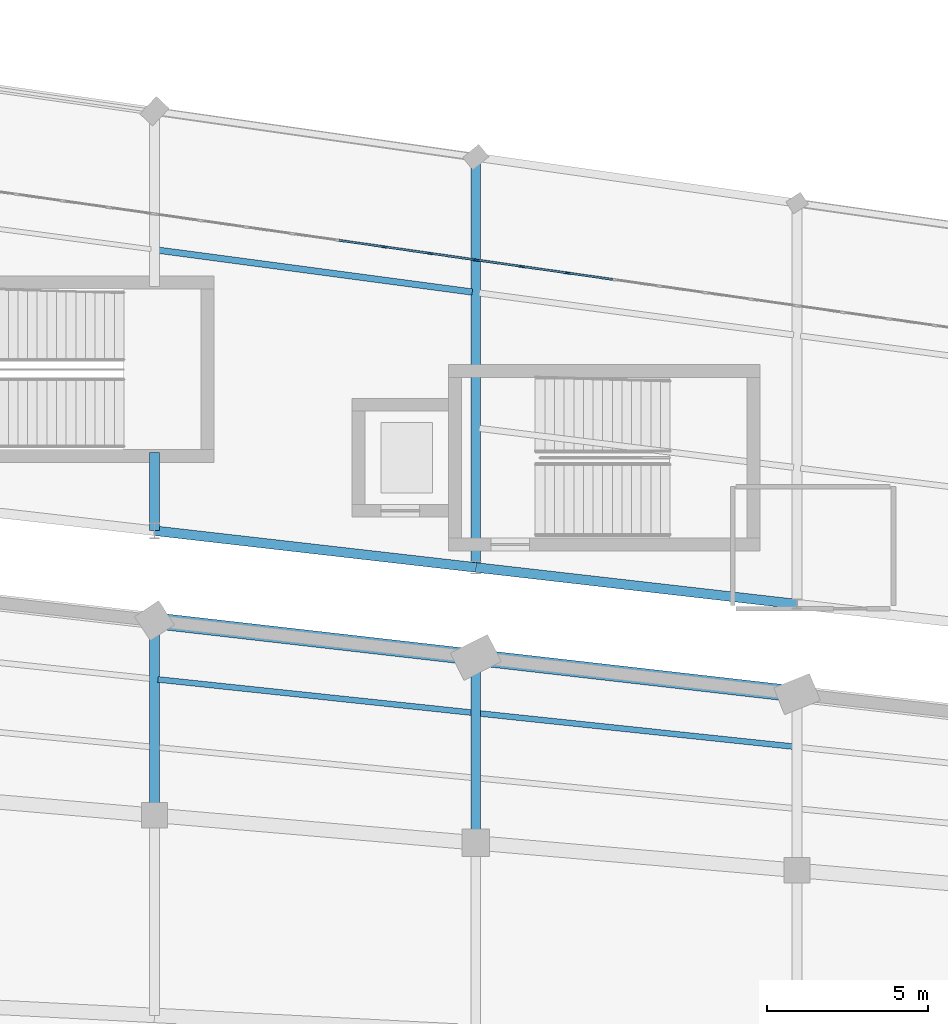
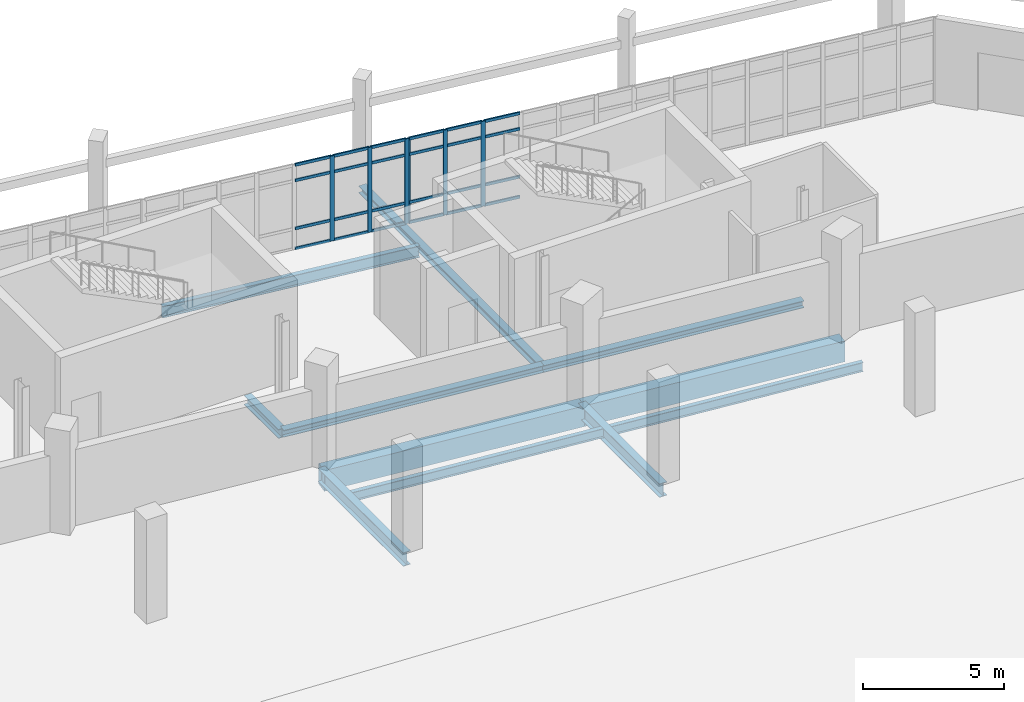
# One storey, part 74 of 122: 30 members, 11 beams, 2 elements without a shape of their own.
"""IFC4 building model written with IfcOpenShell, lengths in metres."""

from ifc_helpers import new_model, si_unit, direction, frame, origin, origin_2d, place, context, subcontext, project, spatial, rectangle, i_section, extrude, material, layer, layer_set, material_profile, profile_set, type_object, element, aggregate, save


model = new_model("IFC4")

# Units and contexts
model_context = context("Model", 3, precision=1e-05, world=origin(), true_north=direction((0.0, 1.0)))
body_context = subcontext(model_context, "Body", "Model", "MODEL_VIEW")
ifc_project = project(units=[si_unit("LENGTHUNIT", "METRE"), si_unit("AREAUNIT", "SQUARE_METRE"), si_unit("VOLUMEUNIT", "CUBIC_METRE"), si_unit("PLANEANGLEUNIT", "RADIAN"), si_unit("MASSUNIT", "GRAM", prefix="KILO")], contexts=[model_context])

# Site, building, storey
site_placement = place(None, origin())
site = spatial("IfcSite", under=ifc_project, at=site_placement, CompositionType="ELEMENT")
building_placement = place(site_placement, origin())
building = spatial("IfcBuilding", under=site, at=building_placement, Name="Sohan Crest Arena", CompositionType="ELEMENT")
storey_placement = place(building_placement, origin())
storey = spatial("IfcBuildingStorey", under=building, at=storey_placement, Name="L00", CompositionType="ELEMENT", Elevation=0.0)

# Curtain wall, members
ifc_material_1 = material(Name="Thermally broken anodised aluminium", Category="aluminium")
ifc_layer = layer(ifc_material_1, 0.179931640625, Name="Thermally broken anodised aluminium")
ifc_layer_set = layer_set([ifc_layer], Name="Thermally broken anodised aluminium")
curtain_wall_type = type_object("IfcCurtainWallType", Name="ARC-CW01", PredefinedType="NOTDEFINED", material=ifc_layer_set)
curtain_wall_1_placement = place(storey_placement, origin())
curtain_wall_1 = element("IfcCurtainWall", 1, at=curtain_wall_1_placement, inside=storey, type_object=curtain_wall_type, Name="Unitised curtain wall CW-015", PredefinedType="NOTDEFINED")
ifc_material_profile_1 = material_profile(ifc_material_1, rectangle(XDim=0.06005859375, YDim=0.159912109375, at=origin_2d()), Name="ALU-MULL 60x160")
ifc_profile_set_1 = profile_set([ifc_material_profile_1], Name="Thermally broken anodised aluminium")
member_type_1 = type_object("IfcMemberType", Name="ARC-CW-ML01", PredefinedType="MULLION", material=ifc_profile_set_1)
member_1_placement = place(storey_placement, frame((150.857177734375, 115.2490234375, 0.0), z_axis=(0.0, 0.0, 1.0), x_axis=(-0.141365918403, -0.989957411768, 0.0)))
member_1 = element("IfcMember", 2, at=member_1_placement, type_object=member_type_1, Name="CW-015 mullion 6", PredefinedType="MULLION", context=body_context, shape_type="SweptSolid", body=[
    extrude(rectangle(XDim=0.06005859375, YDim=0.159912109375, at=origin_2d()), origin(), (0.0, 0.0, 1.0), 3.679931640625),
])
member_2_placement = place(storey_placement, frame((149.428466796875, 115.452880859375, 0.0), z_axis=(0.0, 0.0, 1.0), x_axis=(-0.141365918403, -0.989957411768, 0.0)))
member_2 = element("IfcMember", 3, at=member_2_placement, type_object=member_type_1, Name="CW-015 mullion 7", PredefinedType="MULLION", context=body_context, shape_type="SweptSolid", body=[
    extrude(rectangle(XDim=0.06005859375, YDim=0.159912109375, at=origin_2d()), origin(), (0.0, 0.0, 1.0), 3.679931640625),
])
member_3_placement = place(storey_placement, frame((148.02978515625, 115.65283203125, 0.0), z_axis=(0.0, 0.0, 1.0), x_axis=(-0.141365918403, -0.989957411768, 0.0)))
member_3 = element("IfcMember", 4, at=member_3_placement, type_object=member_type_1, Name="CW-015 mullion 8", PredefinedType="MULLION", context=body_context, shape_type="SweptSolid", body=[
    extrude(rectangle(XDim=0.06005859375, YDim=0.159912109375, at=origin_2d()), origin(), (0.0, 0.0, 1.0), 3.679931640625),
])

curtain_wall_2_placement = place(storey_placement, origin())
curtain_wall_2 = element("IfcCurtainWall", 5, at=curtain_wall_2_placement, inside=storey, type_object=curtain_wall_type, Name="Unitised curtain wall CW-016", PredefinedType="NOTDEFINED")
member_4_placement = place(storey_placement, frame((147.97021484375, 115.6611328125, 0.0), z_axis=(0.0, 0.0, 1.0), x_axis=(-0.141462933734, -0.989943553128, 0.0)))
member_4 = element("IfcMember", 6, at=member_4_placement, type_object=member_type_1, Name="CW-016 mullion 1", PredefinedType="MULLION", context=body_context, shape_type="SweptSolid", body=[
    extrude(rectangle(XDim=0.06005859375, YDim=0.159912109375, at=origin_2d()), origin(), (0.0, 0.0, 1.0), 3.679931640625),
])
member_5_placement = place(storey_placement, frame((146.571533203125, 115.861083984375, 0.0), z_axis=(0.0, 0.0, 1.0), x_axis=(-0.141462933734, -0.989943553128, 0.0)))
member_5 = element("IfcMember", 7, at=member_5_placement, type_object=member_type_1, Name="CW-016 mullion 2", PredefinedType="MULLION", context=body_context, shape_type="SweptSolid", body=[
    extrude(rectangle(XDim=0.06005859375, YDim=0.159912109375, at=origin_2d()), origin(), (0.0, 0.0, 1.0), 3.679931640625),
])
member_6_placement = place(storey_placement, frame((145.142822265625, 116.065185546875, 0.0), z_axis=(0.0, 0.0, 1.0), x_axis=(-0.141462933734, -0.989943553128, 0.0)))
member_6 = element("IfcMember", 8, at=member_6_placement, type_object=member_type_1, Name="CW-016 mullion 3", PredefinedType="MULLION", context=body_context, shape_type="SweptSolid", body=[
    extrude(rectangle(XDim=0.06005859375, YDim=0.159912109375, at=origin_2d()), origin(), (0.0, 0.0, 1.0), 3.679931640625),
])

# Member
ifc_material_profile_2 = material_profile(ifc_material_1, rectangle(XDim=0.06005859375, YDim=0.1201171875, at=origin_2d()), Name="ALU-TRAN 60x120")
ifc_profile_set_2 = profile_set([ifc_material_profile_2], Name="Thermally broken anodised aluminium")
member_type_2 = type_object("IfcMemberType", Name="ARC-CW-TR01", PredefinedType="USERDEFINED", material=ifc_profile_set_2)
member_7_placement = place(storey_placement, frame((152.256103515625, 115.04931640625, 0.030029296875), z_axis=(-0.989953023856, 0.141396642673, 0.0), x_axis=(-0.141396642673, -0.989953023856, 0.0)))
member_7 = element("IfcMember", 9, at=member_7_placement, type_object=member_type_2, Name="CW-015 transom 5.1", ObjectType="TRANSOM", PredefinedType="USERDEFINED", context=body_context, shape_type="SweptSolid", body=[
    extrude(rectangle(XDim=0.06005859375, YDim=0.1201171875, at=origin_2d()), origin(), (0.0, 0.0, 1.0), 1.383056640625),
])

member_8_placement = place(storey_placement, frame((152.256103515625, 115.04931640625, 0.89990234375), z_axis=(-0.989953023856, 0.141396642673, 0.0), x_axis=(-0.141396642673, -0.989953023856, 0.0)))
member_8 = element("IfcMember", 10, at=member_8_placement, type_object=member_type_2, Name="CW-015 transom 5.2", ObjectType="TRANSOM", PredefinedType="USERDEFINED", context=body_context, shape_type="SweptSolid", body=[
    extrude(rectangle(XDim=0.06005859375, YDim=0.1201171875, at=origin_2d()), origin(), (0.0, 0.0, 1.0), 1.383056640625),
])

member_9_placement = place(storey_placement, frame((152.256103515625, 115.04931640625, 2.97998046875), z_axis=(-0.989953023856, 0.141396642673, 0.0), x_axis=(-0.141396642673, -0.989953023856, 0.0)))
member_9 = element("IfcMember", 11, at=member_9_placement, type_object=member_type_2, Name="CW-015 transom 5.3", ObjectType="TRANSOM", PredefinedType="USERDEFINED", context=body_context, shape_type="SweptSolid", body=[
    extrude(rectangle(XDim=0.06005859375, YDim=0.1201171875, at=origin_2d()), origin(), (0.0, 0.0, 1.0), 1.383056640625),
])

member_10_placement = place(storey_placement, frame((152.256103515625, 115.04931640625, 3.64990234375), z_axis=(-0.989953023856, 0.141396642673, 0.0), x_axis=(-0.141396642673, -0.989953023856, 0.0)))
member_10 = element("IfcMember", 12, at=member_10_placement, type_object=member_type_2, Name="CW-015 transom 5.4", ObjectType="TRANSOM", PredefinedType="USERDEFINED", context=body_context, shape_type="SweptSolid", body=[
    extrude(rectangle(XDim=0.06005859375, YDim=0.1201171875, at=origin_2d()), origin(), (0.0, 0.0, 1.0), 1.383056640625),
])

member_11_placement = place(storey_placement, frame((150.827392578125, 115.253173828125, 0.030029296875), z_axis=(-0.989953023856, 0.141396642673, 0.0), x_axis=(-0.141396642673, -0.989953023856, 0.0)))
member_11 = element("IfcMember", 13, at=member_11_placement, type_object=member_type_2, Name="CW-015 transom 6.1", ObjectType="TRANSOM", PredefinedType="USERDEFINED", context=body_context, shape_type="SweptSolid", body=[
    extrude(rectangle(XDim=0.06005859375, YDim=0.1201171875, at=origin_2d()), origin(), (0.0, 0.0, 1.0), 1.383056640625),
])

member_12_placement = place(storey_placement, frame((150.827392578125, 115.253173828125, 0.89990234375), z_axis=(-0.989953023856, 0.141396642673, 0.0), x_axis=(-0.141396642673, -0.989953023856, 0.0)))
member_12 = element("IfcMember", 14, at=member_12_placement, type_object=member_type_2, Name="CW-015 transom 6.2", ObjectType="TRANSOM", PredefinedType="USERDEFINED", context=body_context, shape_type="SweptSolid", body=[
    extrude(rectangle(XDim=0.06005859375, YDim=0.1201171875, at=origin_2d()), origin(), (0.0, 0.0, 1.0), 1.383056640625),
])

member_13_placement = place(storey_placement, frame((150.827392578125, 115.253173828125, 2.97998046875), z_axis=(-0.989953023856, 0.141396642673, 0.0), x_axis=(-0.141396642673, -0.989953023856, 0.0)))
member_13 = element("IfcMember", 15, at=member_13_placement, type_object=member_type_2, Name="CW-015 transom 6.3", ObjectType="TRANSOM", PredefinedType="USERDEFINED", context=body_context, shape_type="SweptSolid", body=[
    extrude(rectangle(XDim=0.06005859375, YDim=0.1201171875, at=origin_2d()), origin(), (0.0, 0.0, 1.0), 1.383056640625),
])

member_14_placement = place(storey_placement, frame((150.827392578125, 115.253173828125, 3.64990234375), z_axis=(-0.989953023856, 0.141396642673, 0.0), x_axis=(-0.141396642673, -0.989953023856, 0.0)))
member_14 = element("IfcMember", 16, at=member_14_placement, type_object=member_type_2, Name="CW-015 transom 6.4", ObjectType="TRANSOM", PredefinedType="USERDEFINED", context=body_context, shape_type="SweptSolid", body=[
    extrude(rectangle(XDim=0.06005859375, YDim=0.1201171875, at=origin_2d()), origin(), (0.0, 0.0, 1.0), 1.383056640625),
])

member_15_placement = place(storey_placement, frame((149.39892578125, 115.457275390625, 0.030029296875), z_axis=(-0.989971132604, 0.141269800771, 0.0), x_axis=(-0.141269800771, -0.989971132604, 0.0)))
member_15 = element("IfcMember", 17, at=member_15_placement, type_object=member_type_2, Name="CW-015 transom 7.1", ObjectType="TRANSOM", PredefinedType="USERDEFINED", context=body_context, shape_type="SweptSolid", body=[
    extrude(rectangle(XDim=0.06005859375, YDim=0.1201171875, at=origin_2d()), origin(), (0.0, 0.0, 1.0), 1.353271484375),
])

member_16_placement = place(storey_placement, frame((149.39892578125, 115.457275390625, 0.89990234375), z_axis=(-0.989971132604, 0.141269800771, 0.0), x_axis=(-0.141269800771, -0.989971132604, 0.0)))
member_16 = element("IfcMember", 18, at=member_16_placement, type_object=member_type_2, Name="CW-015 transom 7.2", ObjectType="TRANSOM", PredefinedType="USERDEFINED", context=body_context, shape_type="SweptSolid", body=[
    extrude(rectangle(XDim=0.06005859375, YDim=0.1201171875, at=origin_2d()), origin(), (0.0, 0.0, 1.0), 1.353271484375),
])

member_17_placement = place(storey_placement, frame((149.39892578125, 115.457275390625, 2.97998046875), z_axis=(-0.989971132604, 0.141269800771, 0.0), x_axis=(-0.141269800771, -0.989971132604, 0.0)))
member_17 = element("IfcMember", 19, at=member_17_placement, type_object=member_type_2, Name="CW-015 transom 7.3", ObjectType="TRANSOM", PredefinedType="USERDEFINED", context=body_context, shape_type="SweptSolid", body=[
    extrude(rectangle(XDim=0.06005859375, YDim=0.1201171875, at=origin_2d()), origin(), (0.0, 0.0, 1.0), 1.353271484375),
])

member_18_placement = place(storey_placement, frame((149.39892578125, 115.457275390625, 3.64990234375), z_axis=(-0.989971132604, 0.141269800771, 0.0), x_axis=(-0.141269800771, -0.989971132604, 0.0)))
member_18 = element("IfcMember", 20, at=member_18_placement, type_object=member_type_2, Name="CW-015 transom 7.4", ObjectType="TRANSOM", PredefinedType="USERDEFINED", context=body_context, shape_type="SweptSolid", body=[
    extrude(rectangle(XDim=0.06005859375, YDim=0.1201171875, at=origin_2d()), origin(), (0.0, 0.0, 1.0), 1.353271484375),
])

aggregate(curtain_wall_1, [member_1, member_2, member_3, member_7, member_8, member_9, member_10, member_11, member_12, member_13, member_14, member_15, member_16, member_17, member_18])

member_19_placement = place(storey_placement, frame((147.940673828125, 115.66552734375, 0.030029296875), z_axis=(-0.989945885007, 0.141446614515, 0.0), x_axis=(-0.141446614515, -0.989945885007, 0.0)))
member_19 = element("IfcMember", 21, at=member_19_placement, type_object=member_type_2, Name="CW-016 transom 1.1", ObjectType="TRANSOM", PredefinedType="USERDEFINED", context=body_context, shape_type="SweptSolid", body=[
    extrude(rectangle(XDim=0.06005859375, YDim=0.1201171875, at=origin_2d()), origin(), (0.0, 0.0, 1.0), 1.353271484375),
])

member_20_placement = place(storey_placement, frame((147.940673828125, 115.66552734375, 0.89990234375), z_axis=(-0.989945885007, 0.141446614515, 0.0), x_axis=(-0.141446614515, -0.989945885007, 0.0)))
member_20 = element("IfcMember", 22, at=member_20_placement, type_object=member_type_2, Name="CW-016 transom 1.2", ObjectType="TRANSOM", PredefinedType="USERDEFINED", context=body_context, shape_type="SweptSolid", body=[
    extrude(rectangle(XDim=0.06005859375, YDim=0.1201171875, at=origin_2d()), origin(), (0.0, 0.0, 1.0), 1.353271484375),
])

member_21_placement = place(storey_placement, frame((147.940673828125, 115.66552734375, 2.97998046875), z_axis=(-0.989945885007, 0.141446614515, 0.0), x_axis=(-0.141446614515, -0.989945885007, 0.0)))
member_21 = element("IfcMember", 23, at=member_21_placement, type_object=member_type_2, Name="CW-016 transom 1.3", ObjectType="TRANSOM", PredefinedType="USERDEFINED", context=body_context, shape_type="SweptSolid", body=[
    extrude(rectangle(XDim=0.06005859375, YDim=0.1201171875, at=origin_2d()), origin(), (0.0, 0.0, 1.0), 1.353271484375),
])

member_22_placement = place(storey_placement, frame((147.940673828125, 115.66552734375, 3.64990234375), z_axis=(-0.989945885007, 0.141446614515, 0.0), x_axis=(-0.141446614515, -0.989945885007, 0.0)))
member_22 = element("IfcMember", 24, at=member_22_placement, type_object=member_type_2, Name="CW-016 transom 1.4", ObjectType="TRANSOM", PredefinedType="USERDEFINED", context=body_context, shape_type="SweptSolid", body=[
    extrude(rectangle(XDim=0.06005859375, YDim=0.1201171875, at=origin_2d()), origin(), (0.0, 0.0, 1.0), 1.353271484375),
])

member_23_placement = place(storey_placement, frame((146.541748046875, 115.865478515625, 0.030029296875), z_axis=(-0.989953023856, 0.141396642673, 0.0), x_axis=(-0.141396642673, -0.989953023856, 0.0)))
member_23 = element("IfcMember", 25, at=member_23_placement, type_object=member_type_2, Name="CW-016 transom 2.1", ObjectType="TRANSOM", PredefinedType="USERDEFINED", context=body_context, shape_type="SweptSolid", body=[
    extrude(rectangle(XDim=0.06005859375, YDim=0.1201171875, at=origin_2d()), origin(), (0.0, 0.0, 1.0), 1.383056640625),
])

member_24_placement = place(storey_placement, frame((146.541748046875, 115.865478515625, 0.89990234375), z_axis=(-0.989953023856, 0.141396642673, 0.0), x_axis=(-0.141396642673, -0.989953023856, 0.0)))
member_24 = element("IfcMember", 26, at=member_24_placement, type_object=member_type_2, Name="CW-016 transom 2.2", ObjectType="TRANSOM", PredefinedType="USERDEFINED", context=body_context, shape_type="SweptSolid", body=[
    extrude(rectangle(XDim=0.06005859375, YDim=0.1201171875, at=origin_2d()), origin(), (0.0, 0.0, 1.0), 1.383056640625),
])

member_25_placement = place(storey_placement, frame((146.541748046875, 115.865478515625, 2.97998046875), z_axis=(-0.989953023856, 0.141396642673, 0.0), x_axis=(-0.141396642673, -0.989953023856, 0.0)))
member_25 = element("IfcMember", 27, at=member_25_placement, type_object=member_type_2, Name="CW-016 transom 2.3", ObjectType="TRANSOM", PredefinedType="USERDEFINED", context=body_context, shape_type="SweptSolid", body=[
    extrude(rectangle(XDim=0.06005859375, YDim=0.1201171875, at=origin_2d()), origin(), (0.0, 0.0, 1.0), 1.383056640625),
])

member_26_placement = place(storey_placement, frame((146.541748046875, 115.865478515625, 3.64990234375), z_axis=(-0.989953023856, 0.141396642673, 0.0), x_axis=(-0.141396642673, -0.989953023856, 0.0)))
member_26 = element("IfcMember", 28, at=member_26_placement, type_object=member_type_2, Name="CW-016 transom 2.4", ObjectType="TRANSOM", PredefinedType="USERDEFINED", context=body_context, shape_type="SweptSolid", body=[
    extrude(rectangle(XDim=0.06005859375, YDim=0.1201171875, at=origin_2d()), origin(), (0.0, 0.0, 1.0), 1.383056640625),
])

member_27_placement = place(storey_placement, frame((145.113037109375, 116.069580078125, 0.030029296875), z_axis=(-0.989953023856, 0.141396642673, 0.0), x_axis=(-0.141396642673, -0.989953023856, 0.0)))
member_27 = element("IfcMember", 29, at=member_27_placement, type_object=member_type_2, Name="CW-016 transom 3.1", ObjectType="TRANSOM", PredefinedType="USERDEFINED", context=body_context, shape_type="SweptSolid", body=[
    extrude(rectangle(XDim=0.06005859375, YDim=0.1201171875, at=origin_2d()), origin(), (0.0, 0.0, 1.0), 1.383056640625),
])

member_28_placement = place(storey_placement, frame((145.113037109375, 116.069580078125, 0.89990234375), z_axis=(-0.989953023856, 0.141396642673, 0.0), x_axis=(-0.141396642673, -0.989953023856, 0.0)))
member_28 = element("IfcMember", 30, at=member_28_placement, type_object=member_type_2, Name="CW-016 transom 3.2", ObjectType="TRANSOM", PredefinedType="USERDEFINED", context=body_context, shape_type="SweptSolid", body=[
    extrude(rectangle(XDim=0.06005859375, YDim=0.1201171875, at=origin_2d()), origin(), (0.0, 0.0, 1.0), 1.383056640625),
])

member_29_placement = place(storey_placement, frame((145.113037109375, 116.069580078125, 2.97998046875), z_axis=(-0.989953023856, 0.141396642673, 0.0), x_axis=(-0.141396642673, -0.989953023856, 0.0)))
member_29 = element("IfcMember", 31, at=member_29_placement, type_object=member_type_2, Name="CW-016 transom 3.3", ObjectType="TRANSOM", PredefinedType="USERDEFINED", context=body_context, shape_type="SweptSolid", body=[
    extrude(rectangle(XDim=0.06005859375, YDim=0.1201171875, at=origin_2d()), origin(), (0.0, 0.0, 1.0), 1.383056640625),
])

member_30_placement = place(storey_placement, frame((145.113037109375, 116.069580078125, 3.64990234375), z_axis=(-0.989953023856, 0.141396642673, 0.0), x_axis=(-0.141396642673, -0.989953023856, 0.0)))
member_30 = element("IfcMember", 32, at=member_30_placement, type_object=member_type_2, Name="CW-016 transom 3.4", ObjectType="TRANSOM", PredefinedType="USERDEFINED", context=body_context, shape_type="SweptSolid", body=[
    extrude(rectangle(XDim=0.06005859375, YDim=0.1201171875, at=origin_2d()), origin(), (0.0, 0.0, 1.0), 1.383056640625),
])

aggregate(curtain_wall_2, [member_4, member_5, member_6, member_19, member_20, member_21, member_22, member_23, member_24, member_25, member_26, member_27, member_28, member_29, member_30])

# Beams
ifc_material_2 = material(Name="Steel S355", Category="steel")
ifc_material_profile_3 = material_profile(ifc_material_2, i_section(OverallWidth=0.179931640625, OverallDepth=0.39990234375, WebThickness=0.008544921875, FlangeThickness=0.013427734375, at=origin_2d()), Name="IPE 400")
ifc_profile_set_3 = profile_set([ifc_material_profile_3], Name="Steel S355")
beam_type_1 = type_object("IfcBeamType", Name="STR-BM-B03", PredefinedType="JOIST", material=ifc_profile_set_3)
for number, where, z_axis, x_axis, name in (
    (33, (157.89111328125, 100.509033203125, -0.449951171875), (-0.994470991784, 0.105011649352, 0.0), (-0.105011649352, -0.994470991784, 0.0), "Structural beam J-L00-0685"),
    (34, (147.89111328125, 101.56591796875, -0.449951171875), (-0.994458024707, 0.105134376377, 0.0), (-0.105134376377, -0.994458024707, 0.0), "Structural beam J-L00-0707"),
):
    element("IfcBeam", number, at=place(storey_placement, frame(where, z_axis=z_axis, x_axis=x_axis)), inside=storey, type_object=beam_type_1, Name=name, PredefinedType="JOIST", context=body_context, shape_type="SweptSolid", body=[
        extrude(i_section(OverallWidth=0.179931640625, OverallDepth=0.39990234375, WebThickness=0.008544921875, FlangeThickness=0.013427734375, at=origin_2d()), origin(), (0.0, 0.0, 1.0), 9.836669921875),
    ])
ifc_material_profile_4 = material_profile(ifc_material_2, i_section(OverallWidth=0.199951171875, OverallDepth=0.5, WebThickness=0.01025390625, FlangeThickness=0.01611328125, at=origin_2d()), Name="IPE 500")
ifc_profile_set_4 = profile_set([ifc_material_profile_4], Name="Steel S355")
beam_type_2 = type_object("IfcBeamType", Name="STR-BM-B05", PredefinedType="JOIST", material=ifc_profile_set_4)
beam_1_placement = place(storey_placement, frame((147.89111328125, 114.657958984375, -0.52490234375), z_axis=(-0.991232437337, 0.132129690721, 0.0), x_axis=(-0.132129690721, -0.991232437337, 0.0)))
element("IfcBeam", 35, at=beam_1_placement, inside=storey, type_object=beam_type_2, Name="Structural beam J-L00-1066", PredefinedType="JOIST", context=body_context, shape_type="SweptSolid", body=[
    extrude(i_section(OverallWidth=0.199951171875, OverallDepth=0.5, WebThickness=0.01025390625, FlangeThickness=0.01611328125, at=origin_2d()), origin(), (0.0, 0.0, 1.0), 9.86865234375),
])
ifc_material_profile_5 = material_profile(ifc_material_2, i_section(OverallWidth=0.300048828125, OverallDepth=0.590087890625, WebThickness=0.012939453125, FlangeThickness=0.02490234375, at=origin_2d()), Name="HEA 600")
ifc_profile_set_5 = profile_set([ifc_material_profile_5], Name="Steel S355")
beam_type_3 = type_object("IfcBeamType", Name="STR-BM-B11", PredefinedType="BEAM", material=ifc_profile_set_5)
beam_2_placement = place(storey_placement, frame((148.0, 97.513916015625, -0.544921875), z_axis=(0.0, 1.0, 0.0), x_axis=(-1.0, 0.0, 0.0)))
element("IfcBeam", 36, at=beam_2_placement, inside=storey, type_object=beam_type_3, Name="Structural beam G-L00-0705", PredefinedType="BEAM", context=body_context, shape_type="SweptSolid", body=[
    extrude(i_section(OverallWidth=0.300048828125, OverallDepth=0.590087890625, WebThickness=0.012939453125, FlangeThickness=0.02490234375, at=origin_2d()), origin(), (0.0, 0.0, 1.0), 5.77197265625),
])
beam_3_placement = place(storey_placement, frame((138.0, 98.37109375, -0.544921875), z_axis=(0.0, 1.0, 0.0), x_axis=(-1.0, 0.0, 0.0)))
element("IfcBeam", 37, at=beam_3_placement, inside=storey, type_object=beam_type_3, Name="Structural beam G-L00-0727", PredefinedType="BEAM", context=body_context, shape_type="SweptSolid", body=[
    extrude(i_section(OverallWidth=0.300048828125, OverallDepth=0.590087890625, WebThickness=0.012939453125, FlangeThickness=0.02490234375, at=origin_2d()), origin(), (0.0, 0.0, 1.0), 6.057861328125),
])
ifc_material_profile_6 = material_profile(ifc_material_2, i_section(OverallWidth=0.300048828125, OverallDepth=0.300048828125, WebThickness=0.010986328125, FlangeThickness=0.01904296875, at=origin_2d()), Name="HEB 300")
ifc_profile_set_6 = profile_set([ifc_material_profile_6], Name="Steel S355")
beam_type_4 = type_object("IfcBeamType", Name="STR-BM-B12", PredefinedType="BEAM", material=ifc_profile_set_6)
beam_4_placement = place(storey_placement, frame((158.0, 104.943115234375, -0.425048828125), z_axis=(-0.993533063564, 0.113543170668, 0.0), x_axis=(-0.113543170668, -0.993533063564, 0.0)))
element("IfcBeam", 38, at=beam_4_placement, inside=storey, type_object=beam_type_4, Name="Structural beam G-L00-1057", PredefinedType="BEAM", context=body_context, shape_type="SweptSolid", body=[
    extrude(i_section(OverallWidth=0.300048828125, OverallDepth=0.300048828125, WebThickness=0.010986328125, FlangeThickness=0.01904296875, at=origin_2d()), origin(), (0.0, 0.0, 1.0), 10.065185546875),
])
beam_5_placement = place(storey_placement, frame((148.0, 106.0859375, -0.425048828125), z_axis=(0.0, 1.0, 0.0), x_axis=(-1.0, 0.0, 0.0)))
element("IfcBeam", 39, at=beam_5_placement, inside=storey, type_object=beam_type_4, Name="Structural beam G-L00-1062", PredefinedType="BEAM", context=body_context, shape_type="SweptSolid", body=[
    extrude(i_section(OverallWidth=0.300048828125, OverallDepth=0.300048828125, WebThickness=0.010986328125, FlangeThickness=0.01904296875, at=origin_2d()), origin(), (0.0, 0.0, 1.0), 12.77099609375),
])
beam_6_placement = place(storey_placement, frame((148.0, 106.0859375, -0.425048828125), z_axis=(-0.99353032697, 0.113567114035, 0.0), x_axis=(-0.113567114035, -0.99353032697, 0.0)))
element("IfcBeam", 40, at=beam_6_placement, inside=storey, type_object=beam_type_4, Name="Structural beam G-L00-1063", PredefinedType="BEAM", context=body_context, shape_type="SweptSolid", body=[
    extrude(i_section(OverallWidth=0.300048828125, OverallDepth=0.300048828125, WebThickness=0.010986328125, FlangeThickness=0.01904296875, at=origin_2d()), origin(), (0.0, 0.0, 1.0), 10.065185546875),
])
ifc_material_profile_7 = material_profile(ifc_material_2, i_section(OverallWidth=0.300048828125, OverallDepth=0.39990234375, WebThickness=0.013427734375, FlangeThickness=0.02392578125, at=origin_2d()), Name="HEB 400")
ifc_profile_set_7 = profile_set([ifc_material_profile_7], Name="Steel S355")
beam_type_5 = type_object("IfcBeamType", Name="STR-BM-B13", PredefinedType="BEAM", material=ifc_profile_set_7)
beam_7_placement = place(storey_placement, frame((138.0, 107.22900390625, -0.47509765625), z_axis=(0.0, 1.0, 0.0), x_axis=(-1.0, 0.0, 0.0)))
element("IfcBeam", 41, at=beam_7_placement, inside=storey, type_object=beam_type_5, Name="Structural beam G-L00-1067", PredefinedType="BEAM", context=body_context, shape_type="SweptSolid", body=[
    extrude(i_section(OverallWidth=0.300048828125, OverallDepth=0.39990234375, WebThickness=0.013427734375, FlangeThickness=0.02392578125, at=origin_2d()), origin(), (0.0, 0.0, 1.0), 2.44091796875),
])
ifc_material_3 = material(Name="Concrete C40/50", Category="concrete")
ifc_material_profile_8 = material_profile(ifc_material_3, rectangle(XDim=0.5, YDim=0.89990234375, at=origin_2d()), Name="RC-BM 500x900")
ifc_profile_set_8 = profile_set([ifc_material_profile_8], Name="Concrete C40/50")
beam_type_6 = type_object("IfcBeamType", Name="STR-BM-TB03", PredefinedType="BEAM", material=ifc_profile_set_8)
for number, where, z_axis, x_axis, name in (
    (42, (158.0, 102.14306640625, -0.699951171875), (-0.993533063564, 0.113543170668, 0.0), (-0.113543170668, -0.993533063564, 0.0), "Structural beam TB-L00-0682"),
    (43, (148.0, 103.285888671875, -0.699951171875), (-0.99353032697, 0.113567114035, 0.0), (-0.113567114035, -0.99353032697, 0.0), "Structural beam TB-L00-0704"),
):
    element("IfcBeam", number, at=place(storey_placement, frame(where, z_axis=z_axis, x_axis=x_axis)), inside=storey, type_object=beam_type_6, Name=name, PredefinedType="BEAM", context=body_context, shape_type="SweptSolid", body=[
        extrude(rectangle(XDim=0.5, YDim=0.89990234375, at=origin_2d()), origin(), (0.0, 0.0, 1.0), 10.065185546875),
    ])

save(model, "model.ifc")
